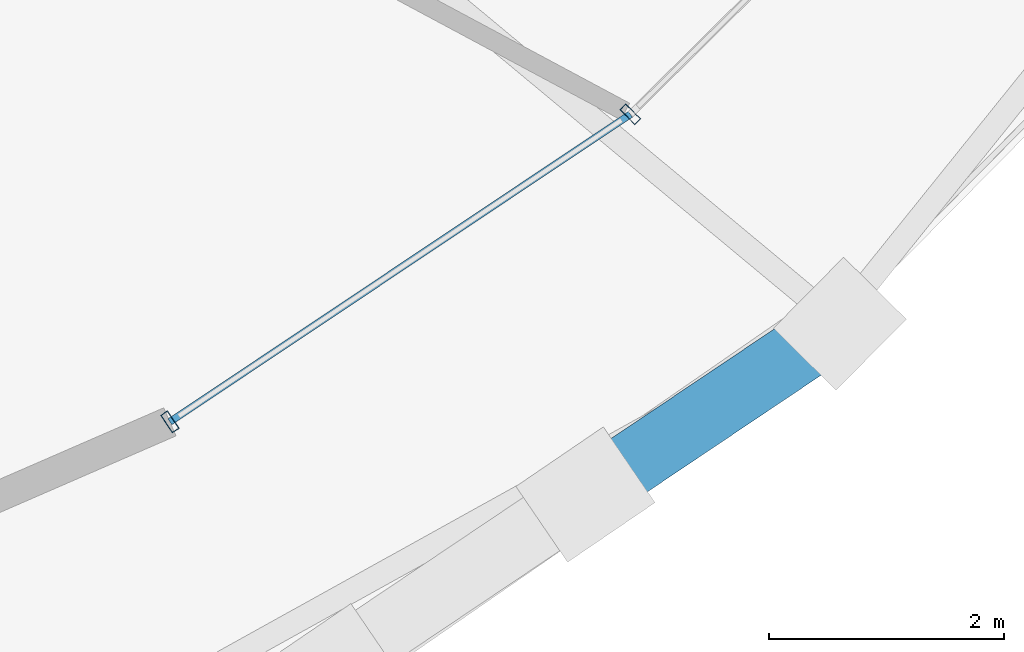
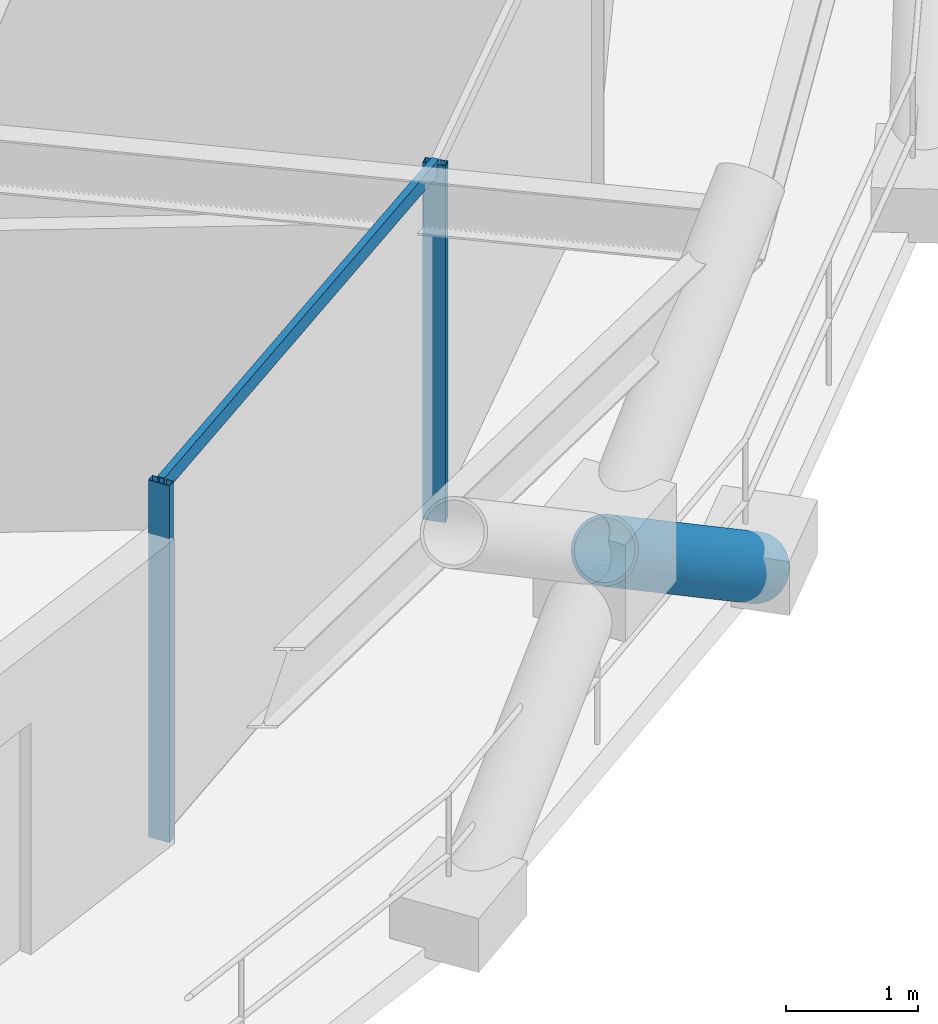
# One storey, part 6 of 22: 4 members, 1 element without a shape of its own.
"""IFC4 building model written with IfcOpenShell, lengths in metres."""

from ifc_helpers import new_model, si_unit, direction, frame, origin, origin_2d, place, context, subcontext, project, spatial, hollow_rectangle, hollow_circle, extrude, material, layer, layer_set, material_profile, profile_set, type_object, element, aggregate, save


model = new_model("IFC4")

# Units and contexts
model_context = context("Model", 3, precision=1e-05, world=origin(), true_north=direction((0.0, 1.0)))
body_context = subcontext(model_context, "Body", "Model", "MODEL_VIEW")
ifc_project = project(units=[si_unit("LENGTHUNIT", "METRE"), si_unit("AREAUNIT", "SQUARE_METRE"), si_unit("VOLUMEUNIT", "CUBIC_METRE"), si_unit("PLANEANGLEUNIT", "RADIAN"), si_unit("MASSUNIT", "GRAM", prefix="KILO")], contexts=[model_context])

# Site, building, storey
site_placement = place(None, origin())
site = spatial("IfcSite", under=ifc_project, at=site_placement, CompositionType="ELEMENT")
building_placement = place(site_placement, origin())
building = spatial("IfcBuilding", under=site, at=building_placement, Name="Veldorina Hangang Commons", CompositionType="ELEMENT")
storey_placement = place(building_placement, frame((0.0, 0.0, 146.0)))
storey = spatial("IfcBuildingStorey", under=building, at=storey_placement, Name="L37", CompositionType="ELEMENT", Elevation=146.0)

# Curtain wall, members
ifc_material_1 = material(Name="Glass Low-E Triple IGU", Category="glass")
ifc_layer = layer(ifc_material_1, 0.179931640625)
ifc_layer_set = layer_set([ifc_layer], Name="Glass Low-E Triple IGU")
curtain_wall_type = type_object("IfcCurtainWallType", Name="CW-SYS-Z2", PredefinedType="NOTDEFINED", material=ifc_layer_set)
curtain_wall_placement = place(storey_placement, origin())
curtain_wall = element("IfcCurtainWall", 1, at=curtain_wall_placement, inside=storey, type_object=curtain_wall_type, Name="L37 unitised curtain wall CW-L37-R2", PredefinedType="NOTDEFINED")
ifc_material_2 = material(Name="Aluminium Anodized AA6063-T6", Category="aluminium")
ifc_material_profile_1 = material_profile(ifc_material_2, hollow_rectangle(XDim=0.070068359375, YDim=0.179931640625, WallThickness=0.00390625, at=origin_2d()), Name="ALU-RHS-180x70x4")
ifc_profile_set_1 = profile_set([ifc_material_profile_1], Name="Aluminium Anodized AA6063-T6")
member_type_1 = type_object("IfcMemberType", Name="CW-MUL-180", PredefinedType="MULLION", material=ifc_profile_set_1)
member_1_placement = place(storey_placement, frame((46.36181640625, 6.506591796875, 0.0), z_axis=(0.0, 0.0, 1.0), x_axis=(0.831566564936, 0.555425105735, 0.0)))
member_1 = element("IfcMember", 2, at=member_1_placement, type_object=member_type_1, Name="CW-L37-R2 vertical mullion 1", PredefinedType="MULLION", context=body_context, shape_type="SweptSolid", body=[
    extrude(hollow_rectangle(XDim=0.070068359375, YDim=0.179931640625, WallThickness=0.00390625, at=origin_2d()), origin(), (0.0, 0.0, 1.0), 3.31005859375),
])
member_2_placement = place(storey_placement, frame((50.279052734375, 9.123046875, 0.0), z_axis=(0.0, 0.0, 1.0), x_axis=(0.710037911549, 0.704163449891, 0.0)))
member_2 = element("IfcMember", 3, at=member_2_placement, type_object=member_type_1, Name="CW-L37-R2 vertical mullion 2", PredefinedType="MULLION", context=body_context, shape_type="SweptSolid", body=[
    extrude(hollow_rectangle(XDim=0.070068359375, YDim=0.179931640625, WallThickness=0.00390625, at=origin_2d()), origin(), (0.0, 0.0, 1.0), 3.31005859375),
])
ifc_material_profile_2 = material_profile(ifc_material_2, hollow_rectangle(XDim=0.06005859375, YDim=0.139892578125, WallThickness=0.00341796875, at=origin_2d()), Name="ALU-RHS-140x60x3.5")
ifc_profile_set_2 = profile_set([ifc_material_profile_2], Name="Aluminium Anodized AA6063-T6")
member_type_2 = type_object("IfcMemberType", Name="CW-TRN-140", PredefinedType="USERDEFINED", material=ifc_profile_set_2)
member_3_placement = place(storey_placement, frame((46.36181640625, 6.506591796875, 3.27001953125), z_axis=(0.831563598386, 0.555429547143, 0.0), x_axis=(-0.555429547143, 0.831563598386, 0.0)))
member_3 = element("IfcMember", 4, at=member_3_placement, type_object=member_type_2, Name="CW-L37-R2 facet 1 transom 1", ObjectType="TRANSOM", PredefinedType="USERDEFINED", context=body_context, shape_type="SweptSolid", body=[
    extrude(hollow_rectangle(XDim=0.06005859375, YDim=0.139892578125, WallThickness=0.00341796875, at=origin_2d()), origin(), (0.0, 0.0, 1.0), 4.710693359375),
])
aggregate(curtain_wall, [member_1, member_2, member_3])

# Member
ifc_material_3 = material(Name="Steel SM420-TMC", Category="steel")
ifc_material_profile_3 = material_profile(ifc_material_3, hollow_circle(Radius=0.27490234375, WallThickness=0.028076171875, at=origin_2d()), Name="CHS-550x28")
ifc_profile_set_3 = profile_set([ifc_material_profile_3], Name="Steel SM420-TMC")
member_type_3 = type_object("IfcMemberType", Name="DG-CHS550", PredefinedType="BRACE", material=ifc_profile_set_3)
member_4_placement = place(storey_placement, frame((52.06103515625, 7.341064453125, 0.0), z_axis=(-0.682948616332, -0.458561121041, 0.568597296617), x_axis=(0.557442489081, -0.83021555717, 0.0)))
element("IfcMember", 5, at=member_4_placement, inside=storey, type_object=member_type_3, Name="L37 split perimeter diagrid lower brace 28", PredefinedType="BRACE", context=body_context, shape_type="SweptSolid", body=[
    extrude(hollow_circle(Radius=0.27490234375, WallThickness=0.028076171875, at=origin_2d()), origin(), (0.0, 0.0, 1.0), 3.16845703125),
])

save(model, "model.ifc")
